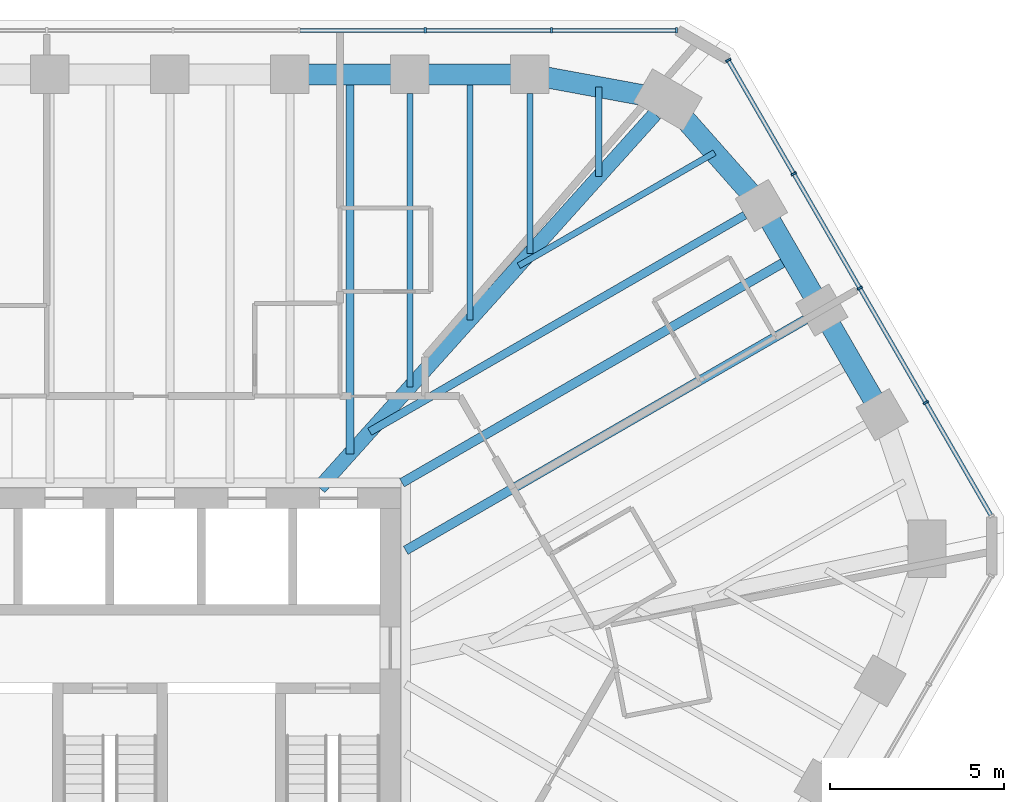
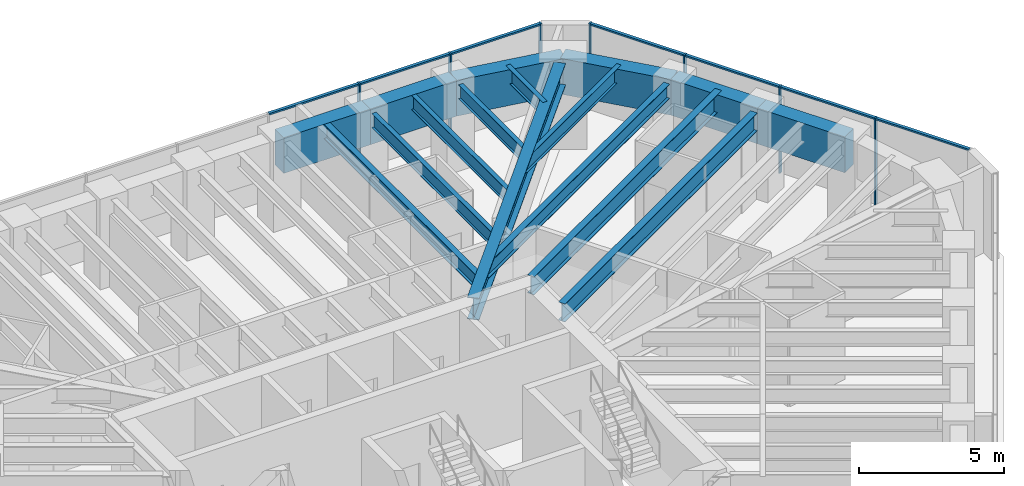
# One storey, part 7 of 14: 16 beams, 14 members, 2 elements without a shape of their own.
"""IFC4 building model written with IfcOpenShell, lengths in metres."""

from ifc_helpers import new_model, si_unit, direction, frame, origin, origin_2d, place, context, subcontext, project, spatial, rectangle, i_section, extrude, material, material_profile, profile_set, type_object, element, aggregate, save


model = new_model("IFC4")

# Units and contexts
model_context = context("Model", 3, precision=1e-05, world=origin(), true_north=direction((0.0, 1.0)))
body_context = subcontext(model_context, "Body", "Model", "MODEL_VIEW")
ifc_project = project(units=[si_unit("LENGTHUNIT", "METRE"), si_unit("AREAUNIT", "SQUARE_METRE"), si_unit("VOLUMEUNIT", "CUBIC_METRE"), si_unit("PLANEANGLEUNIT", "RADIAN"), si_unit("MASSUNIT", "GRAM", prefix="KILO")], contexts=[model_context])

# Site, building, storey
site_placement = place(None, origin())
site = spatial("IfcSite", under=ifc_project, at=site_placement, CompositionType="ELEMENT")
building_placement = place(site_placement, origin())
building = spatial("IfcBuilding", under=site, at=building_placement, Name="Sandreach Pilgrim Tower", CompositionType="ELEMENT")
storey_placement = place(building_placement, frame((0.0, 0.0, 260.800048828125)))
storey = spatial("IfcBuildingStorey", under=building, at=storey_placement, Name="L65", CompositionType="ELEMENT", Elevation=260.800048828125)

# Curtain wall, members
ifc_material_1 = material(Name="Aluminium framed curtain wall", Category="aluminium")
curtain_wall_type = type_object("IfcCurtainWallType", Name="Suite tower curtain wall", PredefinedType="NOTDEFINED", material=ifc_material_1)
curtain_wall_1_placement = place(storey_placement, origin())
curtain_wall_1 = element("IfcCurtainWall", 1, at=curtain_wall_1_placement, inside=storey, type_object=curtain_wall_type, Name="CW-4 L65 N", PredefinedType="NOTDEFINED")
ifc_material_2 = material(Name="Aluminium extrusion", Category="aluminium")
ifc_material_profile_1 = material_profile(ifc_material_2, rectangle(XDim=0.06005859375, YDim=0.159912109375, at=origin_2d()), Name="CW-4M 60X160")
ifc_profile_set_1 = profile_set([ifc_material_profile_1], Name="Aluminium extrusion")
member_type_1 = type_object("IfcMemberType", Name="CW-4 mullion", PredefinedType="MULLION", material=ifc_profile_set_1)
member_1_placement = place(storey_placement, frame((9.0546875, 19.826416015625, 0.0), z_axis=(0.0, 0.0, 1.0), x_axis=(1.0, 0.0, 0.0)))
member_1 = element("IfcMember", 2, at=member_1_placement, type_object=member_type_1, Name="CW-4 mullion 8", PredefinedType="MULLION", context=body_context, shape_type="SweptSolid", body=[
    extrude(rectangle(XDim=0.06005859375, YDim=0.159912109375, at=origin_2d()), origin(), (0.0, 0.0, 1.0), 3.639892578125),
])
member_2_placement = place(storey_placement, frame((12.676513671875, 19.826416015625, 0.0), z_axis=(0.0, 0.0, 1.0), x_axis=(1.0, 0.0, 0.0)))
member_2 = element("IfcMember", 3, at=member_2_placement, type_object=member_type_1, Name="CW-4 mullion 9", PredefinedType="MULLION", context=body_context, shape_type="SweptSolid", body=[
    extrude(rectangle(XDim=0.06005859375, YDim=0.159912109375, at=origin_2d()), origin(), (0.0, 0.0, 1.0), 3.639892578125),
])
member_3_placement = place(storey_placement, frame((16.268310546875, 19.826416015625, 0.0), z_axis=(0.0, 0.0, 1.0), x_axis=(1.0, 0.0, 0.0)))
member_3 = element("IfcMember", 4, at=member_3_placement, type_object=member_type_1, Name="CW-4 mullion 10", PredefinedType="MULLION", context=body_context, shape_type="SweptSolid", body=[
    extrude(rectangle(XDim=0.06005859375, YDim=0.159912109375, at=origin_2d()), origin(), (0.0, 0.0, 1.0), 3.639892578125),
])

curtain_wall_2_placement = place(storey_placement, origin())
curtain_wall_2 = element("IfcCurtainWall", 5, at=curtain_wall_2_placement, inside=storey, type_object=curtain_wall_type, Name="CW-4 L65 NE", PredefinedType="NOTDEFINED")
member_4_placement = place(storey_placement, frame((17.7509765625, 18.970458984375, 0.0), z_axis=(0.0, 0.0, 1.0), x_axis=(0.5, -0.866025403784, 0.0)))
member_4 = element("IfcMember", 6, at=member_4_placement, type_object=member_type_1, Name="CW-4 mullion 1", PredefinedType="MULLION", context=body_context, shape_type="SweptSolid", body=[
    extrude(rectangle(XDim=0.06005859375, YDim=0.159912109375, at=origin_2d()), origin(), (0.0, 0.0, 1.0), 3.639892578125),
])
member_5_placement = place(storey_placement, frame((19.6318359375, 15.712646484375, 0.0), z_axis=(0.0, 0.0, 1.0), x_axis=(0.5, -0.866025403784, 0.0)))
member_5 = element("IfcMember", 7, at=member_5_placement, type_object=member_type_1, Name="CW-4 mullion 2", PredefinedType="MULLION", context=body_context, shape_type="SweptSolid", body=[
    extrude(rectangle(XDim=0.06005859375, YDim=0.159912109375, at=origin_2d()), origin(), (0.0, 0.0, 1.0), 3.639892578125),
])
member_6_placement = place(storey_placement, frame((21.527587890625, 12.428955078125, 0.0), z_axis=(0.0, 0.0, 1.0), x_axis=(0.5, -0.866025403784, 0.0)))
member_6 = element("IfcMember", 8, at=member_6_placement, type_object=member_type_1, Name="CW-4 mullion 3", PredefinedType="MULLION", context=body_context, shape_type="SweptSolid", body=[
    extrude(rectangle(XDim=0.06005859375, YDim=0.159912109375, at=origin_2d()), origin(), (0.0, 0.0, 1.0), 3.639892578125),
])
member_7_placement = place(storey_placement, frame((23.423583984375, 9.145263671875, 0.0), z_axis=(0.0, 0.0, 1.0), x_axis=(0.5, -0.866025403784, 0.0)))
member_7 = element("IfcMember", 9, at=member_7_placement, type_object=member_type_1, Name="CW-4 mullion 4", PredefinedType="MULLION", context=body_context, shape_type="SweptSolid", body=[
    extrude(rectangle(XDim=0.06005859375, YDim=0.159912109375, at=origin_2d()), origin(), (0.0, 0.0, 1.0), 3.639892578125),
])

# Member
ifc_material_3 = material(Name="Aluminium extrusion", Category="aluminium")
ifc_material_profile_2 = material_profile(ifc_material_3, rectangle(XDim=0.1201171875, YDim=0.070068359375, at=origin_2d()), Name="CW-4T 120X70")
ifc_profile_set_2 = profile_set([ifc_material_profile_2], Name="Aluminium extrusion")
member_type_2 = type_object("IfcMemberType", Name="CW-4 transom", PredefinedType="USERDEFINED", material=ifc_profile_set_2)
member_8_placement = place(storey_placement, frame((5.462890625, 19.826416015625, 3.60498046875), z_axis=(1.0, 0.0, 0.0), x_axis=(0.0, 1.0, 0.0)))
member_8 = element("IfcMember", 10, at=member_8_placement, type_object=member_type_2, Name="CW-4 head transom 7", ObjectType="TRANSOM", PredefinedType="USERDEFINED", context=body_context, shape_type="SweptSolid", body=[
    extrude(rectangle(XDim=0.1201171875, YDim=0.070068359375, at=origin_2d()), origin(), (0.0, 0.0, 1.0), 3.561767578125),
])

member_9_placement = place(storey_placement, frame((9.084716796875, 19.826416015625, 3.60498046875), z_axis=(1.0, 0.0, 0.0), x_axis=(0.0, 1.0, 0.0)))
member_9 = element("IfcMember", 11, at=member_9_placement, type_object=member_type_2, Name="CW-4 head transom 8", ObjectType="TRANSOM", PredefinedType="USERDEFINED", context=body_context, shape_type="SweptSolid", body=[
    extrude(rectangle(XDim=0.1201171875, YDim=0.070068359375, at=origin_2d()), origin(), (0.0, 0.0, 1.0), 3.561767578125),
])

member_10_placement = place(storey_placement, frame((12.70654296875, 19.826416015625, 3.60498046875), z_axis=(1.0, 0.0, 0.0), x_axis=(0.0, 1.0, 0.0)))
member_10 = element("IfcMember", 12, at=member_10_placement, type_object=member_type_2, Name="CW-4 head transom 9", ObjectType="TRANSOM", PredefinedType="USERDEFINED", context=body_context, shape_type="SweptSolid", body=[
    extrude(rectangle(XDim=0.1201171875, YDim=0.070068359375, at=origin_2d()), origin(), (0.0, 0.0, 1.0), 3.53173828125),
])

aggregate(curtain_wall_1, [member_1, member_2, member_3, member_8, member_9, member_10])

member_11_placement = place(storey_placement, frame((17.76611328125, 18.944580078125, 3.60498046875), z_axis=(0.499990780478, -0.866030726613, 0.0), x_axis=(0.866030726613, 0.499990780478, 0.0)))
member_11 = element("IfcMember", 13, at=member_11_placement, type_object=member_type_2, Name="CW-4 head transom 1", ObjectType="TRANSOM", PredefinedType="USERDEFINED", context=body_context, shape_type="SweptSolid", body=[
    extrude(rectangle(XDim=0.1201171875, YDim=0.070068359375, at=origin_2d()), origin(), (0.0, 0.0, 1.0), 3.70166015625),
])

member_12_placement = place(storey_placement, frame((19.646728515625, 15.686767578125, 3.60498046875), z_axis=(0.500030151002, -0.866007995396, 0.0), x_axis=(0.866007995396, 0.500030151002, 0.0)))
member_12 = element("IfcMember", 14, at=member_12_placement, type_object=member_type_2, Name="CW-4 head transom 2", ObjectType="TRANSOM", PredefinedType="USERDEFINED", context=body_context, shape_type="SweptSolid", body=[
    extrude(rectangle(XDim=0.1201171875, YDim=0.070068359375, at=origin_2d()), origin(), (0.0, 0.0, 1.0), 3.731689453125),
])

member_13_placement = place(storey_placement, frame((21.542724609375, 12.403076171875, 3.60498046875), z_axis=(0.499981083104, -0.866036325184, 0.0), x_axis=(0.866036325184, 0.499981083104, 0.0)))
member_13 = element("IfcMember", 15, at=member_13_placement, type_object=member_type_2, Name="CW-4 head transom 3", ObjectType="TRANSOM", PredefinedType="USERDEFINED", context=body_context, shape_type="SweptSolid", body=[
    extrude(rectangle(XDim=0.1201171875, YDim=0.070068359375, at=origin_2d()), origin(), (0.0, 0.0, 1.0), 3.731689453125),
])

member_14_placement = place(storey_placement, frame((23.4384765625, 9.119384765625, 3.60498046875), z_axis=(0.499990780478, -0.866030726613, 0.0), x_axis=(0.866030726613, 0.499990780478, 0.0)))
member_14 = element("IfcMember", 16, at=member_14_placement, type_object=member_type_2, Name="CW-4 head transom 4", ObjectType="TRANSOM", PredefinedType="USERDEFINED", context=body_context, shape_type="SweptSolid", body=[
    extrude(rectangle(XDim=0.1201171875, YDim=0.070068359375, at=origin_2d()), origin(), (0.0, 0.0, 1.0), 3.70166015625),
])

aggregate(curtain_wall_2, [member_4, member_5, member_6, member_7, member_11, member_12, member_13, member_14])

# Beams
ifc_material_4 = material(Name="Steel ASTM A992 Grade 50", Category="steel")
ifc_material_profile_3 = material_profile(ifc_material_4, i_section(OverallWidth=0.419189453125, OverallDepth=0.927001953125, WebThickness=0.019287109375, FlangeThickness=0.031982421875, at=origin_2d()), Name="W36X231")
ifc_profile_set_3 = profile_set([ifc_material_profile_3], Name="Steel ASTM A992 Grade 50")
beam_type_1 = type_object("IfcBeamType", Name="Corner girder W36X231", PredefinedType="BEAM", material=ifc_profile_set_3)
beam_1_placement = place(storey_placement, frame((15.649169921875, 17.427978515625, 3.176513671875), z_axis=(-0.668114851597, -0.74405815974, 0.0), x_axis=(0.74405815974, -0.668114851597, 0.0)))
element("IfcBeam", 17, at=beam_1_placement, inside=storey, type_object=beam_type_1, Name="BM L65 CG09", PredefinedType="BEAM", context=body_context, shape_type="SweptSolid", body=[
    extrude(i_section(OverallWidth=0.419189453125, OverallDepth=0.927001953125, WebThickness=0.019287109375, FlangeThickness=0.031982421875, at=origin_2d()), origin(), (0.0, 0.0, 1.0), 14.418212890625),
])
ifc_material_5 = material(Name="Steel ASTM A992 Grade 50", Category="steel")
ifc_material_profile_4 = material_profile(ifc_material_5, i_section(OverallWidth=0.1787109375, OverallDepth=0.60205078125, WebThickness=0.010986328125, FlangeThickness=0.014892578125, at=origin_2d()), Name="W24X62")
ifc_profile_set_4 = profile_set([ifc_material_profile_4], Name="Steel ASTM A992 Grade 50")
beam_type_2 = type_object("IfcBeamType", Name="Floor beam W24X62", PredefinedType="BEAM", material=ifc_profile_set_4)
beam_2_placement = place(storey_placement, frame((8.612548828125, 18.016357421875, 3.3388671875), z_axis=(0.0, -1.0, 0.0), x_axis=(1.0, 0.0, 0.0)))
element("IfcBeam", 18, at=beam_2_placement, inside=storey, type_object=beam_type_2, Name="BM L65 F07", PredefinedType="BEAM", context=body_context, shape_type="SweptSolid", body=[
    extrude(i_section(OverallWidth=0.1787109375, OverallDepth=0.60205078125, WebThickness=0.010986328125, FlangeThickness=0.014892578125, at=origin_2d()), origin(), (0.0, 0.0, 1.0), 8.4248046875),
])
beam_3_placement = place(storey_placement, frame((12.0576171875, 18.016357421875, 3.3388671875), z_axis=(0.0, -1.0, 0.0), x_axis=(1.0, 0.0, 0.0)))
element("IfcBeam", 19, at=beam_3_placement, inside=storey, type_object=beam_type_2, Name="BM L65 F08", PredefinedType="BEAM", context=body_context, shape_type="SweptSolid", body=[
    extrude(i_section(OverallWidth=0.1787109375, OverallDepth=0.60205078125, WebThickness=0.010986328125, FlangeThickness=0.014892578125, at=origin_2d()), origin(), (0.0, 0.0, 1.0), 4.58837890625),
])
beam_4_placement = place(storey_placement, frame((10.3349609375, 18.56640625, 3.3388671875), z_axis=(0.0, -1.0, 0.0), x_axis=(1.0, 0.0, 0.0)))
element("IfcBeam", 20, at=beam_4_placement, inside=storey, type_object=beam_type_2, Name="BM L65 FM07", PredefinedType="BEAM", context=body_context, shape_type="SweptSolid", body=[
    extrude(i_section(OverallWidth=0.1787109375, OverallDepth=0.60205078125, WebThickness=0.010986328125, FlangeThickness=0.014892578125, at=origin_2d()), origin(), (0.0, 0.0, 1.0), 7.056640625),
])
beam_5_placement = place(storey_placement, frame((14.037109375, 18.201904296875, 3.3388671875), z_axis=(0.0, -1.0, 0.0), x_axis=(1.0, 0.0, 0.0)))
element("IfcBeam", 21, at=beam_5_placement, inside=storey, type_object=beam_type_2, Name="BM L65 FM08", PredefinedType="BEAM", context=body_context, shape_type="SweptSolid", body=[
    extrude(i_section(OverallWidth=0.1787109375, OverallDepth=0.60205078125, WebThickness=0.010986328125, FlangeThickness=0.014892578125, at=origin_2d()), origin(), (0.0, 0.0, 1.0), 2.5693359375),
])
beam_6_placement = place(storey_placement, frame((17.360107421875, 16.31884765625, 3.3388671875), z_axis=(-0.866023980233, -0.500002465655, 0.0), x_axis=(0.500002465655, -0.866023980233, 0.0)))
element("IfcBeam", 22, at=beam_6_placement, inside=storey, type_object=beam_type_2, Name="BM L65 FM09", PredefinedType="BEAM", context=body_context, shape_type="SweptSolid", body=[
    extrude(i_section(OverallWidth=0.1787109375, OverallDepth=0.60205078125, WebThickness=0.010986328125, FlangeThickness=0.014892578125, at=origin_2d()), origin(), (0.0, 0.0, 1.0), 6.49072265625),
])
ifc_material_6 = material(Name="Steel ASTM A992 Grade 50", Category="steel")
ifc_material_profile_5 = material_profile(ifc_material_6, i_section(OverallWidth=0.23046875, OverallDepth=0.6171875, WebThickness=0.01318359375, FlangeThickness=0.022216796875, at=origin_2d()), Name="W24X94")
ifc_profile_set_5 = profile_set([ifc_material_profile_5], Name="Steel ASTM A992 Grade 50")
beam_type_3 = type_object("IfcBeamType", Name="Floor beam W24X94", PredefinedType="BEAM", material=ifc_profile_set_5)
beam_7_placement = place(storey_placement, frame((18.227294921875, 14.525390625, 3.331298828125), z_axis=(-0.866020427415, -0.500008619226, 0.0), x_axis=(0.500008619226, -0.866020427415, 0.0)))
element("IfcBeam", 23, at=beam_7_placement, inside=storey, type_object=beam_type_3, Name="BM L65 F10", PredefinedType="BEAM", context=body_context, shape_type="SweptSolid", body=[
    extrude(i_section(OverallWidth=0.23046875, OverallDepth=0.6171875, WebThickness=0.01318359375, FlangeThickness=0.022216796875, at=origin_2d()), origin(), (0.0, 0.0, 1.0), 12.431396484375),
])
beam_8_placement = place(storey_placement, frame((6.89013671875, 18.56640625, 3.331298828125), z_axis=(0.0, -1.0, 0.0), x_axis=(1.0, 0.0, 0.0)))
element("IfcBeam", 24, at=beam_8_placement, inside=storey, type_object=beam_type_3, Name="BM L65 FM06", PredefinedType="BEAM", context=body_context, shape_type="SweptSolid", body=[
    extrude(i_section(OverallWidth=0.23046875, OverallDepth=0.6171875, WebThickness=0.01318359375, FlangeThickness=0.022216796875, at=origin_2d()), origin(), (0.0, 0.0, 1.0), 10.893310546875),
])
ifc_material_7 = material(Name="Steel ASTM A992 Grade 50", Category="steel")
ifc_material_profile_6 = material_profile(ifc_material_7, i_section(OverallWidth=0.2666015625, OverallDepth=0.761962890625, WebThickness=0.014404296875, FlangeThickness=0.021484375, at=origin_2d()), Name="W30X116")
ifc_profile_set_6 = profile_set([ifc_material_profile_6], Name="Steel ASTM A992 Grade 50")
beam_type_4 = type_object("IfcBeamType", Name="Floor beam W30X116", PredefinedType="BEAM", material=ifc_profile_set_6)
beam_9_placement = place(storey_placement, frame((19.960205078125, 11.52392578125, 3.259033203125), z_axis=(-0.86602530353, -0.500000173646, 0.0), x_axis=(0.500000173646, -0.86602530353, 0.0)))
element("IfcBeam", 25, at=beam_9_placement, inside=storey, type_object=beam_type_4, Name="BM L65 F11", PredefinedType="BEAM", context=body_context, shape_type="SweptSolid", body=[
    extrude(i_section(OverallWidth=0.2666015625, OverallDepth=0.761962890625, WebThickness=0.014404296875, FlangeThickness=0.021484375, at=origin_2d()), origin(), (0.0, 0.0, 1.0), 13.24072265625),
])
beam_10_placement = place(storey_placement, frame((19.570068359375, 13.299560546875, 3.259033203125), z_axis=(-0.866025008595, -0.500000684488, 0.0), x_axis=(0.500000684488, -0.866025008595, 0.0)))
element("IfcBeam", 26, at=beam_10_placement, inside=storey, type_object=beam_type_4, Name="BM L65 FM10", PredefinedType="BEAM", context=body_context, shape_type="SweptSolid", body=[
    extrude(i_section(OverallWidth=0.2666015625, OverallDepth=0.761962890625, WebThickness=0.014404296875, FlangeThickness=0.021484375, at=origin_2d()), origin(), (0.0, 0.0, 1.0), 12.91259765625),
])
ifc_material_8 = material(Name="Concrete 10000 psi", Category="concrete")
ifc_material_profile_7 = material_profile(ifc_material_8, rectangle(XDim=0.60009765625, YDim=1.5, at=origin_2d()), Name="RC600X1500")
ifc_profile_set_7 = profile_set([ifc_material_profile_7], Name="Concrete 10000 psi")
beam_type_5 = type_object("IfcBeamType", Name="Spandrel beam RC600X1500", PredefinedType="SPANDREL", material=ifc_profile_set_7)
for number, where, z_axis, x_axis, name in (
    (27, (5.16748046875, 18.56640625, 2.889892578125), (1.0, 0.0, 0.0), (0.0, 1.0, 0.0), "BM L65 SP06"),
    (28, (8.612548828125, 18.56640625, 2.889892578125), (1.0, 0.0, 0.0), (0.0, 1.0, 0.0), "BM L65 SP07"),
):
    element("IfcBeam", number, at=place(storey_placement, frame(where, z_axis=z_axis, x_axis=x_axis)), inside=storey, type_object=beam_type_5, Name=name, PredefinedType="SPANDREL", context=body_context, shape_type="SweptSolid", body=[
        extrude(rectangle(XDim=0.60009765625, YDim=1.5, at=origin_2d()), origin(), (0.0, 0.0, 1.0), 3.445068359375),
    ])
beam_11_placement = place(storey_placement, frame((12.0576171875, 18.56640625, 2.889892578125), z_axis=(0.983454894629, -0.181153167875, 0.0), x_axis=(0.181153167875, 0.983454894629, 0.0)))
element("IfcBeam", 29, at=beam_11_placement, inside=storey, type_object=beam_type_5, Name="BM L65 SP08", PredefinedType="SPANDREL", context=body_context, shape_type="SweptSolid", body=[
    extrude(rectangle(XDim=0.60009765625, YDim=1.5, at=origin_2d()), origin(), (0.0, 0.0, 1.0), 4.025634765625),
])
beam_12_placement = place(storey_placement, frame((16.0166015625, 17.837158203125, 2.889892578125), z_axis=(0.662650525414, -0.748928755736, 0.0), x_axis=(0.748928755736, 0.662650525414, 0.0)))
element("IfcBeam", 30, at=beam_12_placement, inside=storey, type_object=beam_type_5, Name="BM L65 SP09", PredefinedType="SPANDREL", context=body_context, shape_type="SweptSolid", body=[
    extrude(rectangle(XDim=0.60009765625, YDim=1.5, at=origin_2d()), origin(), (0.0, 0.0, 1.0), 4.054931640625),
])
for number, where, z_axis, x_axis, name in (
    (31, (18.70361328125, 14.80029296875, 2.889892578125), (0.500033451825, -0.866006089503, 0.0), (0.866006089503, 0.500033451825, 0.0), "BM L65 SP10"),
    (32, (20.4365234375, 11.799072265625, 2.889892578125), (0.499980616072, -0.866036594811, 0.0), (0.866036594811, 0.499980616072, 0.0), "BM L65 SP11"),
):
    element("IfcBeam", number, at=place(storey_placement, frame(where, z_axis=z_axis, x_axis=x_axis)), inside=storey, type_object=beam_type_5, Name=name, PredefinedType="SPANDREL", context=body_context, shape_type="SweptSolid", body=[
        extrude(rectangle(XDim=0.60009765625, YDim=1.5, at=origin_2d()), origin(), (0.0, 0.0, 1.0), 3.465576171875),
    ])

save(model, "model.ifc")
